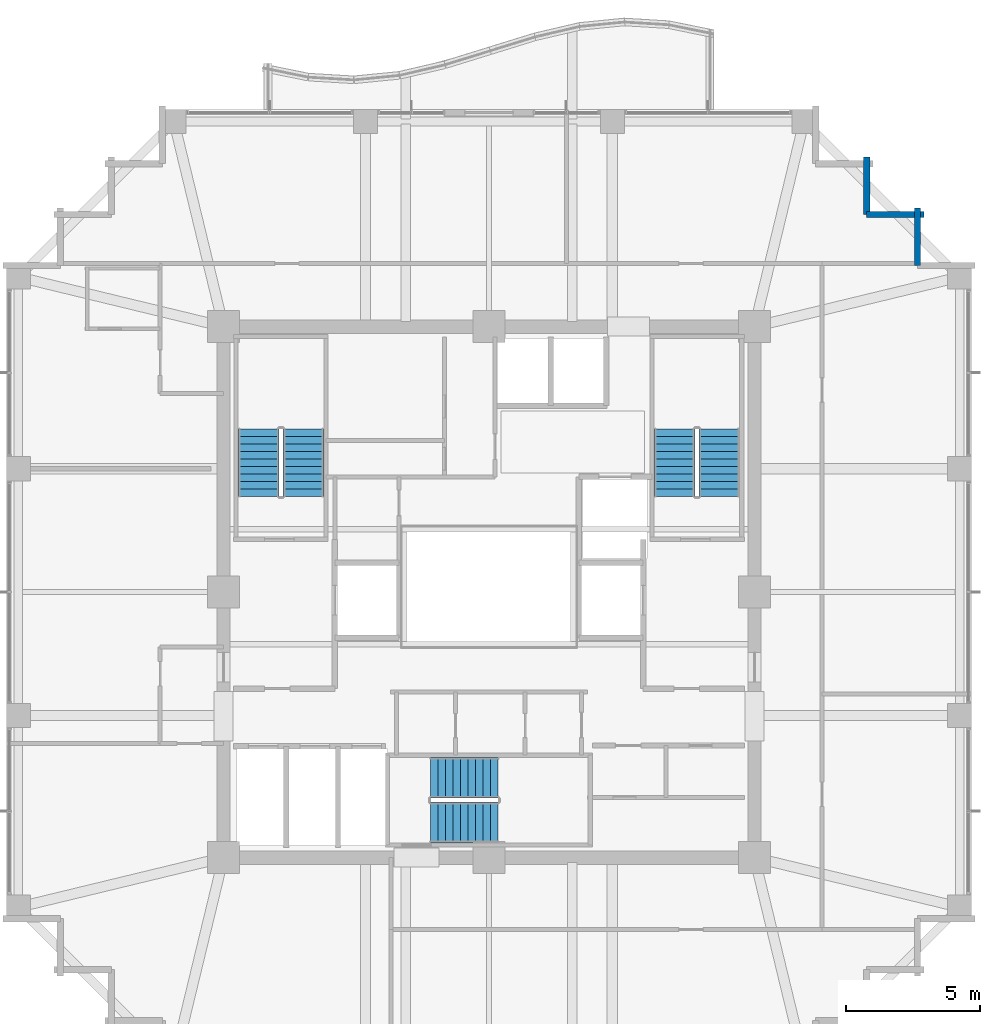
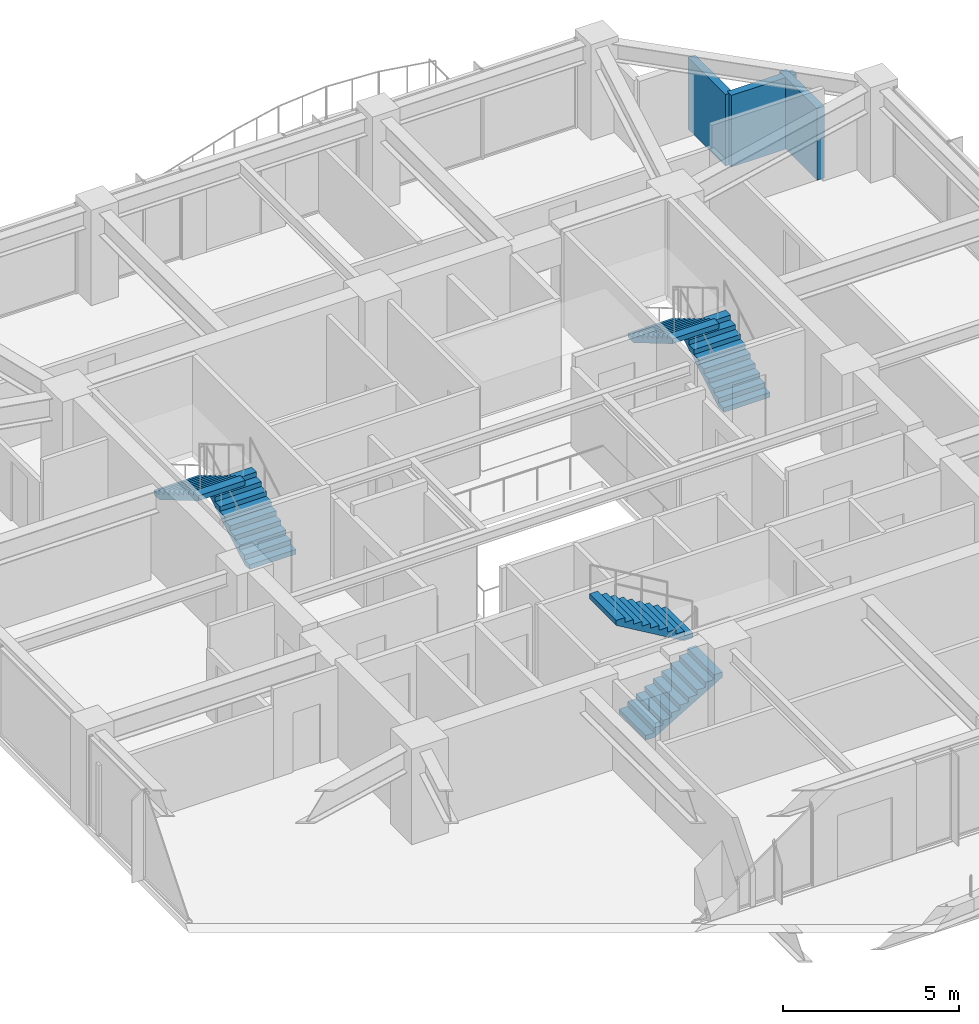
# One storey, part 29 of 31: 6 stair flights, 3 walls, 3 elements without a shape of their own.
"""IFC4 building model written with IfcOpenShell, lengths in metres."""

from ifc_helpers import new_model, si_unit, direction, frame, frame_2d, origin, place, context, subcontext, project, spatial, polyline, rectangle, outline, extrude, material, layer, layer_set, type_object, element, aggregate, save


model = new_model("IFC4")

# Units and contexts
model_context = context("Model", 3, precision=1e-05, world=origin(), true_north=direction((0.0, 1.0)))
body_context = subcontext(model_context, "Body", "Model", "MODEL_VIEW")
ifc_project = project(units=[si_unit("LENGTHUNIT", "METRE"), si_unit("AREAUNIT", "SQUARE_METRE"), si_unit("VOLUMEUNIT", "CUBIC_METRE"), si_unit("PLANEANGLEUNIT", "RADIAN"), si_unit("MASSUNIT", "GRAM", prefix="KILO")], contexts=[model_context])

# Site, building, storey
site_placement = place(None, origin())
site = spatial("IfcSite", under=ifc_project, at=site_placement, CompositionType="ELEMENT")
building_placement = place(site_placement, origin())
building = spatial("IfcBuilding", under=site, at=building_placement, Name="Kolvaren Belvedere", CompositionType="ELEMENT")
storey_placement = place(building_placement, frame((0.0, 0.0, 134.89990234375)))
storey = spatial("IfcBuildingStorey", under=building, at=storey_placement, Name="L39", CompositionType="ELEMENT", Elevation=134.89990234375)

# Walls
ifc_material_1 = material(Name="Insulated pale-metal facade wall assembly", Category="aluminium")
ifc_layer = layer(ifc_material_1, 0.239990234375)
ifc_layer_set = layer_set([ifc_layer], Name="Insulated pale-metal facade wall assembly")
wall_type = type_object("IfcWallType", Name="WL-EXT-240", PredefinedType="STANDARD", material=ifc_layer_set)
wall_placement = place(storey_placement, frame((15.97998046875, 14.320068359375, 0.0), z_axis=(0.0, 0.0, 1.0), x_axis=(0.0, -1.0, 0.0)))
element("IfcWall", 1, at=wall_placement, inside=storey, type_object=wall_type, Name="L39 Serrated Corner Facade Wall 10", PredefinedType="STANDARD", context=body_context, shape_type="SweptSolid", body=[
    extrude(rectangle(XDim=2.14013671875, YDim=0.239990234375, at=frame_2d((1.070068359375, 0.0))), origin(), (0.0, 0.0, 1.0), 2.47900390625),
])
for number, where, z_axis, x_axis, name in (
    (2, (14.080078125, 14.080078125, 0.0), (0.0, 0.0, 1.0), (1.0, 0.0, 0.0), "L39 Serrated Corner Facade Wall 11"),
    (3, (14.080078125, 16.219970703125, 0.0), (0.0, 0.0, 1.0), (0.0, -1.0, 0.0), "L39 Serrated Corner Facade Wall 12"),
):
    element("IfcWall", number, at=place(storey_placement, frame(where, z_axis=z_axis, x_axis=x_axis)), inside=storey, type_object=wall_type, Name=name, PredefinedType="STANDARD", context=body_context, shape_type="SweptSolid", body=[
        extrude(rectangle(XDim=2.139892578125, YDim=0.239990234375, at=frame_2d((1.06982421875, 0.0))), origin(), (0.0, 0.0, 1.0), 2.47900390625),
    ])

# Stair, stair flights
ifc_material_2 = material(Name="Concrete C50/60", Category="concrete")
stair_type = type_object("IfcStairType", Name="ST-CORE-1520", PredefinedType="HALF_TURN_STAIR", material=ifc_material_2)
stair_1_placement = place(storey_placement, origin())
stair_1 = element("IfcStair", 4, at=stair_1_placement, inside=storey, type_object=stair_type, Name="L39 Protected Exit Stair ST-1", PredefinedType="HALF_TURN_STAIR")
ifc_material_3 = material(Name="Concrete C50/60", Category="concrete")
stair_flight_type = type_object("IfcStairFlightType", Name="SF-STR-1520", PredefinedType="STRAIGHT", material=ifc_material_3)
stair_flight_1_placement = place(storey_placement, frame((-6.919921875, 3.570068359375, 0.0), z_axis=(0.0, 0.0, 1.0), x_axis=(0.0, 1.0, 0.0)))
stair_flight_1 = element("IfcStairFlight", 5, at=stair_flight_1_placement, type_object=stair_flight_type, Name="ST-1 flight 1", NumberOfRisers=10, NumberOfTreads=9, PredefinedType="STRAIGHT", RiserHeight=0.165, TreadLength=0.28, context=body_context, shape_type="SweptSolid", body=[
    extrude(outline(polyline([(0.0, 0.0), (0.0, 0.1650390625), (0.280029296875, 0.1650390625), (0.280029296875, 0.330078125), (0.56005859375, 0.330078125), (0.56005859375, 0.4951171875), (0.840087890625, 0.4951171875), (0.840087890625, 0.659912109375), (1.1201171875, 0.659912109375), (1.1201171875, 0.824951171875), (1.39990234375, 0.824951171875), (1.39990234375, 0.989990234375), (1.679931640625, 0.989990234375), (1.679931640625, 1.155029296875), (1.9599609375, 1.155029296875), (1.9599609375, 1.320068359375), (2.239990234375, 1.320068359375), (2.239990234375, 1.485107421875), (2.52001953125, 1.485107421875), (2.52001953125, 1.64990234375), (2.52001953125, 1.31103515625), (0.295166015625, 0.0), (0.0, 0.0)])), frame((0.0, 0.760009765625, 0.0), z_axis=(0.0, -1.0, 0.0), x_axis=(1.0, 0.0, 0.0)), (0.0, 0.0, 1.0), 1.52001953125),
])
stair_flight_2_placement = place(storey_placement, frame((-8.590087890625, 6.090087890625, 1.650146484375), z_axis=(0.0, 0.0, 1.0), x_axis=(0.0, -1.0, 0.0)))
stair_flight_2 = element("IfcStairFlight", 6, at=stair_flight_2_placement, type_object=stair_flight_type, Name="ST-1 flight 2", NumberOfRisers=10, NumberOfTreads=9, PredefinedType="STRAIGHT", RiserHeight=0.165, TreadLength=0.28, context=body_context, shape_type="SweptSolid", body=[
    extrude(outline(polyline([(0.0, 0.0), (0.0, 0.1650390625), (0.280029296875, 0.1650390625), (0.280029296875, 0.330078125), (0.56005859375, 0.330078125), (0.56005859375, 0.4951171875), (0.840087890625, 0.4951171875), (0.840087890625, 0.659912109375), (1.1201171875, 0.659912109375), (1.1201171875, 0.824951171875), (1.39990234375, 0.824951171875), (1.39990234375, 0.989990234375), (1.679931640625, 0.989990234375), (1.679931640625, 1.155029296875), (1.9599609375, 1.155029296875), (1.9599609375, 1.320068359375), (2.239990234375, 1.320068359375), (2.239990234375, 1.485107421875), (2.52001953125, 1.485107421875), (2.52001953125, 1.64990234375), (2.52001953125, 1.31103515625), (0.295166015625, 0.0), (0.0, 0.0)])), frame((0.0, 0.760009765625, 0.0), z_axis=(0.0, -1.0, 0.0), x_axis=(1.0, 0.0, 0.0)), (0.0, 0.0, 1.0), 1.52001953125),
])
aggregate(stair_1, [stair_flight_1, stair_flight_2])

stair_2_placement = place(storey_placement, origin())
stair_2 = element("IfcStair", 7, at=stair_2_placement, inside=storey, type_object=stair_type, Name="L39 Protected Exit Stair ST-2", PredefinedType="HALF_TURN_STAIR")
stair_flight_3_placement = place(storey_placement, frame((8.590087890625, 3.570068359375, 0.0), z_axis=(0.0, 0.0, 1.0), x_axis=(0.0, 1.0, 0.0)))
stair_flight_3 = element("IfcStairFlight", 8, at=stair_flight_3_placement, type_object=stair_flight_type, Name="ST-2 flight 1", NumberOfRisers=10, NumberOfTreads=9, PredefinedType="STRAIGHT", RiserHeight=0.165, TreadLength=0.28, context=body_context, shape_type="SweptSolid", body=[
    extrude(outline(polyline([(0.0, 0.0), (0.0, 0.1650390625), (0.280029296875, 0.1650390625), (0.280029296875, 0.330078125), (0.56005859375, 0.330078125), (0.56005859375, 0.4951171875), (0.840087890625, 0.4951171875), (0.840087890625, 0.659912109375), (1.1201171875, 0.659912109375), (1.1201171875, 0.824951171875), (1.39990234375, 0.824951171875), (1.39990234375, 0.989990234375), (1.679931640625, 0.989990234375), (1.679931640625, 1.155029296875), (1.9599609375, 1.155029296875), (1.9599609375, 1.320068359375), (2.239990234375, 1.320068359375), (2.239990234375, 1.485107421875), (2.52001953125, 1.485107421875), (2.52001953125, 1.64990234375), (2.52001953125, 1.31103515625), (0.295166015625, 0.0), (0.0, 0.0)])), frame((0.0, 0.760009765625, 0.0), z_axis=(0.0, -1.0, 0.0), x_axis=(1.0, 0.0, 0.0)), (0.0, 0.0, 1.0), 1.52001953125),
])
stair_flight_4_placement = place(storey_placement, frame((6.919921875, 6.090087890625, 1.650146484375), z_axis=(0.0, 0.0, 1.0), x_axis=(0.0, -1.0, 0.0)))
stair_flight_4 = element("IfcStairFlight", 9, at=stair_flight_4_placement, type_object=stair_flight_type, Name="ST-2 flight 2", NumberOfRisers=10, NumberOfTreads=9, PredefinedType="STRAIGHT", RiserHeight=0.165, TreadLength=0.28, context=body_context, shape_type="SweptSolid", body=[
    extrude(outline(polyline([(0.0, 0.0), (0.0, 0.1650390625), (0.280029296875, 0.1650390625), (0.280029296875, 0.330078125), (0.56005859375, 0.330078125), (0.56005859375, 0.4951171875), (0.840087890625, 0.4951171875), (0.840087890625, 0.659912109375), (1.1201171875, 0.659912109375), (1.1201171875, 0.824951171875), (1.39990234375, 0.824951171875), (1.39990234375, 0.989990234375), (1.679931640625, 0.989990234375), (1.679931640625, 1.155029296875), (1.9599609375, 1.155029296875), (1.9599609375, 1.320068359375), (2.239990234375, 1.320068359375), (2.239990234375, 1.485107421875), (2.52001953125, 1.485107421875), (2.52001953125, 1.64990234375), (2.52001953125, 1.31103515625), (0.295166015625, 0.0), (0.0, 0.0)])), frame((0.0, 0.760009765625, 0.0), z_axis=(0.0, -1.0, 0.0), x_axis=(1.0, 0.0, 0.0)), (0.0, 0.0, 1.0), 1.52001953125),
])
aggregate(stair_2, [stair_flight_3, stair_flight_4])

stair_3_placement = place(storey_placement, origin())
stair_3 = element("IfcStair", 10, at=stair_3_placement, inside=storey, type_object=stair_type, Name="L39 Protected Exit Stair ST-3", PredefinedType="HALF_TURN_STAIR")
stair_flight_5_placement = place(storey_placement, frame((-2.179931640625, -8.590087890625, 0.0), z_axis=(0.0, 0.0, 1.0), x_axis=(1.0, 0.0, 0.0)))
stair_flight_5 = element("IfcStairFlight", 11, at=stair_flight_5_placement, type_object=stair_flight_type, Name="ST-3 flight 1", NumberOfRisers=10, NumberOfTreads=9, PredefinedType="STRAIGHT", RiserHeight=0.165, TreadLength=0.28, context=body_context, shape_type="SweptSolid", body=[
    extrude(outline(polyline([(0.0, 0.0), (0.0, 0.1650390625), (0.280029296875, 0.1650390625), (0.280029296875, 0.330078125), (0.56005859375, 0.330078125), (0.56005859375, 0.4951171875), (0.840087890625, 0.4951171875), (0.840087890625, 0.659912109375), (1.1201171875, 0.659912109375), (1.1201171875, 0.824951171875), (1.39990234375, 0.824951171875), (1.39990234375, 0.989990234375), (1.679931640625, 0.989990234375), (1.679931640625, 1.155029296875), (1.9599609375, 1.155029296875), (1.9599609375, 1.320068359375), (2.239990234375, 1.320068359375), (2.239990234375, 1.485107421875), (2.52001953125, 1.485107421875), (2.52001953125, 1.64990234375), (2.52001953125, 1.31103515625), (0.295166015625, 0.0), (0.0, 0.0)])), frame((0.0, 0.760009765625, 0.0), z_axis=(0.0, -1.0, 0.0), x_axis=(1.0, 0.0, 0.0)), (0.0, 0.0, 1.0), 1.52001953125),
])
stair_flight_6_placement = place(storey_placement, frame((0.340087890625, -6.919921875, 1.650146484375), z_axis=(0.0, 0.0, 1.0), x_axis=(-1.0, 0.0, 0.0)))
stair_flight_6 = element("IfcStairFlight", 12, at=stair_flight_6_placement, type_object=stair_flight_type, Name="ST-3 flight 2", NumberOfRisers=10, NumberOfTreads=9, PredefinedType="STRAIGHT", RiserHeight=0.165, TreadLength=0.28, context=body_context, shape_type="SweptSolid", body=[
    extrude(outline(polyline([(0.0, 0.0), (0.0, 0.1650390625), (0.280029296875, 0.1650390625), (0.280029296875, 0.330078125), (0.56005859375, 0.330078125), (0.56005859375, 0.4951171875), (0.840087890625, 0.4951171875), (0.840087890625, 0.659912109375), (1.1201171875, 0.659912109375), (1.1201171875, 0.824951171875), (1.39990234375, 0.824951171875), (1.39990234375, 0.989990234375), (1.679931640625, 0.989990234375), (1.679931640625, 1.155029296875), (1.9599609375, 1.155029296875), (1.9599609375, 1.320068359375), (2.239990234375, 1.320068359375), (2.239990234375, 1.485107421875), (2.52001953125, 1.485107421875), (2.52001953125, 1.64990234375), (2.52001953125, 1.31103515625), (0.295166015625, 0.0), (0.0, 0.0)])), frame((0.0, 0.760009765625, 0.0), z_axis=(0.0, -1.0, 0.0), x_axis=(1.0, 0.0, 0.0)), (0.0, 0.0, 1.0), 1.52001953125),
])
aggregate(stair_3, [stair_flight_5, stair_flight_6])

save(model, "model.ifc")
